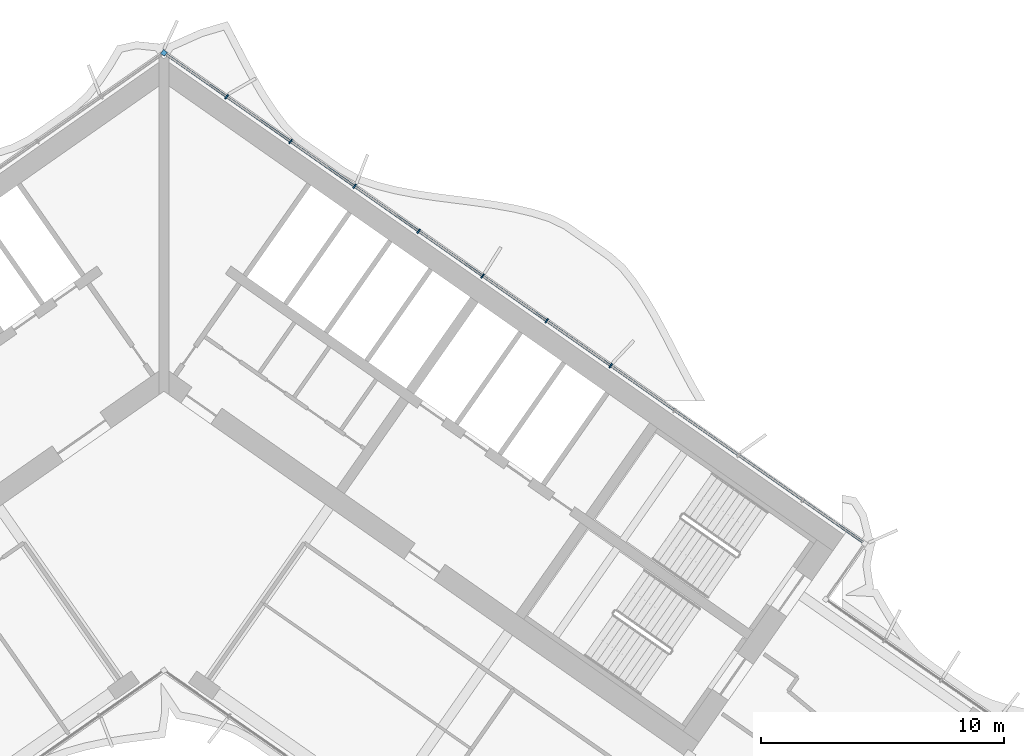
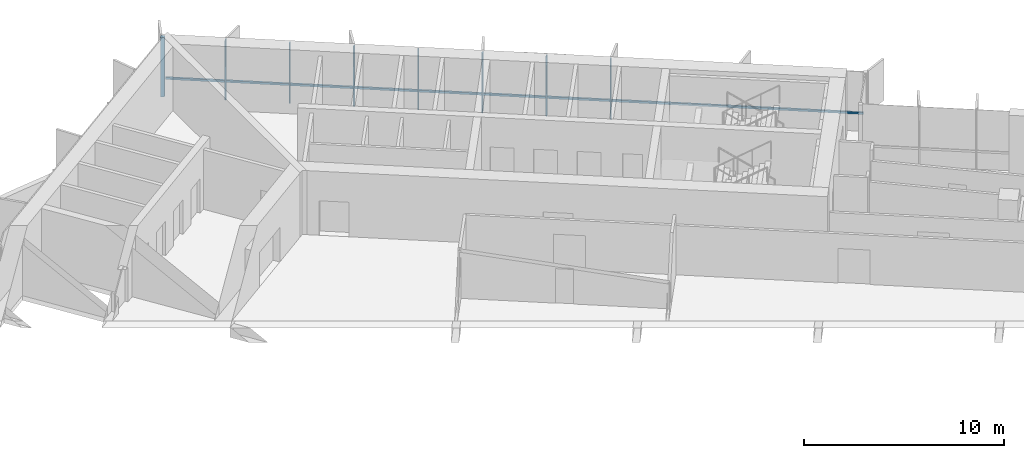
# One storey, part 8 of 21: 9 members, 1 element without a shape of its own.
"""IFC4 building model written with IfcOpenShell, lengths in metres."""

import ifcopenshell
import ifcopenshell.guid

model = None  # the IFC model being written
_history = None  # IfcOwnerHistory: only IFC2X3 demands one
_inside = {}  # id of a spatial element -> (the spatial element, [elements in it])
_under = {}  # id of a project, library or spatial element -> (it, [spatial elements below it])
_declared = {}  # id of a project -> (the project, [libraries it declares])
_typed = {}  # id of a type object -> (the type object, [elements of that type])
_made_of = {}  # id of a material, layer set ... -> (it, [elements and type objects made of it])


def new_model(schema):
    """Start an empty IFC model of exactly this schema.

    Asked for "IFC4X3", IfcOpenShell would pick the latest addendum, in which some entities
    have other attributes; the version numbers below select the first issue.
    IFC2X3 requires an IfcOwnerHistory on every rooted entity: one is made here for all.
    """
    global model, _history
    if schema == "IFC4X3":
        model = ifcopenshell.file(schema_version=(4, 3, 0, 0))
    else:
        model = ifcopenshell.file(schema=schema)
    _inside.clear()
    _under.clear()
    _declared.clear()
    _typed.clear()
    _made_of.clear()
    _history = None
    if model.schema == "IFC2X3":
        org = make("IfcOrganization", Name="unknown")
        user = make(
            "IfcPersonAndOrganization",
            ThePerson=make("IfcPerson", FamilyName="unknown"),
            TheOrganization=org,
        )
        app = make(
            "IfcApplication",
            ApplicationDeveloper=org,
            Version="unknown",
            ApplicationFullName="unknown",
            ApplicationIdentifier="unknown",
        )
        _history = make(
            "IfcOwnerHistory",
            OwningUser=user,
            OwningApplication=app,
            ChangeAction="ADDED",
            CreationDate=0,
        )
    return model


def make(cls, **values):
    """One entity of the class cls with the attributes given. An attribute that is None is left unset."""
    return model.create_entity(
        cls, **{name: value for name, value in values.items() if value is not None}
    )


def rooted(cls, **values):
    """An entity with a GlobalId (a new one), such as an element, a storey or a relation."""
    return make(cls, GlobalId=ifcopenshell.guid.new(), OwnerHistory=_history, **values)


def si_unit(unit_type, name, prefix=None):
    """IfcSIUnit, for example si_unit("LENGTHUNIT", "METRE", prefix="MILLI")."""
    return make("IfcSIUnit", UnitType=unit_type, Prefix=prefix, Name=name)


def assignment(units):
    """IfcUnitAssignment: the units of a project."""
    return None if units is None else make("IfcUnitAssignment", Units=units)


def point(xyz):
    """IfcCartesianPoint."""
    return None if xyz is None else make("IfcCartesianPoint", Coordinates=xyz)


def direction(xyz):
    """IfcDirection."""
    return None if xyz is None else make("IfcDirection", DirectionRatios=xyz)


def frame(location, z_axis=None, x_axis=None):
    """IfcAxis2Placement3D, a coordinate frame: its origin and axes. An axis left out is left unset."""
    return make(
        "IfcAxis2Placement3D",
        Location=point(location),
        Axis=direction(z_axis),
        RefDirection=direction(x_axis),
    )


def frame_2d(location, x_axis=None):
    """IfcAxis2Placement2D, a coordinate frame in the plane: its origin and x axis."""
    return make(
        "IfcAxis2Placement2D", Location=point(location), RefDirection=direction(x_axis)
    )


def origin():
    """The frame at (0, 0, 0) with its axes left unset."""
    return frame((0.0, 0.0, 0.0))


def origin_2d():
    """The frame at (0, 0) in the plane with its x axis left unset."""
    return frame_2d((0.0, 0.0))


def place(relative_to, where):
    """IfcLocalPlacement: puts the frame where relative to a parent placement (None: the world)."""
    return make(
        "IfcLocalPlacement", PlacementRelTo=relative_to, RelativePlacement=where
    )


def context(
    kind, dimensions, precision=None, world=None, true_north=None, identifier=None
):
    """IfcGeometricRepresentationContext, for example the 3D "Model" context."""
    return make(
        "IfcGeometricRepresentationContext",
        ContextIdentifier=identifier,
        ContextType=kind,
        CoordinateSpaceDimension=dimensions,
        Precision=precision,
        WorldCoordinateSystem=world,
        TrueNorth=true_north,
    )


def subcontext(parent, identifier, kind, view, scale=None):
    """IfcGeometricRepresentationSubContext, for example "Body" below "Model"."""
    return make(
        "IfcGeometricRepresentationSubContext",
        ContextIdentifier=identifier,
        ContextType=kind,
        ParentContext=parent,
        TargetScale=scale,
        TargetView=view,
    )


def project(units=None, contexts=None):
    """IfcProject with its units and contexts."""
    return rooted(
        "IfcProject",
        Name="project",
        RepresentationContexts=contexts,
        UnitsInContext=assignment(units),
    )


def spatial(cls, under=None, at=None, **own):
    """A site, building, storey or space (cls), placed at a placement, below another one or the project."""
    s = rooted(cls, ObjectPlacement=at, **own)
    if under is not None:
        _under.setdefault(under.id(), (under, []))[1].append(s)
    return s


def profile(cls, at=None, kind="AREA", **sizes):
    """A parametric profile (cls). Its sizes go by their IFC names, for example OverallWidth=200.0."""
    return make(cls, ProfileType=kind, Position=at, **sizes)


def rectangle(**sizes):
    """IfcRectangleProfileDef."""
    return profile("IfcRectangleProfileDef", **sizes)


def extrude(swept, where, along, depth):
    """IfcExtrudedAreaSolid: the profile swept, set in the frame where, extruded along a direction by depth."""
    return make(
        "IfcExtrudedAreaSolid",
        SweptArea=swept,
        Position=where,
        ExtrudedDirection=direction(along),
        Depth=depth,
    )


def shape(context_of_items, identifier, shape_type, items):
    """IfcShapeRepresentation: the items that make up one representation, for example the "Body"."""
    return make(
        "IfcShapeRepresentation",
        ContextOfItems=context_of_items,
        RepresentationIdentifier=identifier,
        RepresentationType=shape_type,
        Items=items,
    )


def material(Name=None, Category=None):
    """IfcMaterial."""
    return make("IfcMaterial", Name=Name, Category=Category)


def material_profile(
    of_material, cross_section, Name=None, Category=None, Priority=None
):
    """IfcMaterialProfile: a cross section and its material."""
    return make(
        "IfcMaterialProfile",
        Name=Name,
        Material=of_material,
        Profile=cross_section,
        Priority=Priority,
        Category=Category,
    )


def profile_set(profiles, Name=None, composite=None):
    """IfcMaterialProfileSet."""
    return make(
        "IfcMaterialProfileSet",
        Name=Name,
        MaterialProfiles=profiles,
        CompositeProfile=composite,
    )


def made_of(thing, what):
    """Note that an element or type object is made of a material, layer set ...; save() writes the relation."""
    if what is not None:
        _made_of.setdefault(what.id(), (what, []))[1].append(thing)
    return thing


def type_object(cls, material=None, **own):
    """A type object (cls), such as IfcWallType, which elements share."""
    return made_of(rooted(cls, **own), material)


def element(
    cls,
    number,
    at=None,
    inside=None,
    cuts=None,
    type_object=None,
    material=None,
    context=None,
    identifier="Body",
    shape_type=None,
    held_by="IfcProductDefinitionShape",
    body=None,
    shapes=None,
    **own,
):
    """One element of the class cls, such as IfcWall. Its Tag is "e" and its number.

    at: its placement. inside: the storey or other place that contains it. cuts: it is an
    opening in that element (IfcRelVoidsElement). A single representation is given by context,
    identifier, shape_type and body (its items); several are given by shapes. held_by: the class
    of the entity that holds the representations. save() writes the other relations.
    """
    e = rooted(cls, Tag="e%d" % number, ObjectPlacement=at, **own)
    if body is not None:
        shapes = [shape(context, identifier, shape_type, body)]
    if shapes is not None:
        e.Representation = make(held_by, Representations=shapes)
    if inside is not None:
        _inside.setdefault(inside.id(), (inside, []))[1].append(e)
    if cuts is not None:
        rooted(
            "IfcRelVoidsElement", RelatingBuildingElement=cuts, RelatedOpeningElement=e
        )
    if type_object is not None:
        _typed.setdefault(type_object.id(), (type_object, []))[1].append(e)
    return made_of(e, material)


def aggregate(whole, parts):
    """IfcRelAggregates: a whole, such as a stair, and the parts it consists of."""
    return rooted("IfcRelAggregates", RelatingObject=whole, RelatedObjects=parts)


def save(model, path):
    """Write the relations noted so far, then the file.

    IfcRelAggregates (storeys below a building ...), IfcRelContainedInSpatialStructure (elements
    in a storey), IfcRelDefinesByType, IfcRelAssociatesMaterial and IfcRelDeclares: one each for
    every whole, place, type object, material and project.
    """
    for whole, parts in _under.values():
        aggregate(whole, parts)
    for where, things in _inside.values():
        rooted(
            "IfcRelContainedInSpatialStructure",
            RelatedElements=things,
            RelatingStructure=where,
        )
    for kind, things in _typed.values():
        rooted("IfcRelDefinesByType", RelatedObjects=things, RelatingType=kind)
    for what, things in _made_of.values():
        rooted("IfcRelAssociatesMaterial", RelatedObjects=things, RelatingMaterial=what)
    for by, libraries in _declared.values():
        rooted("IfcRelDeclares", RelatingContext=by, RelatedDefinitions=libraries)
    model.write(path)


model = new_model("IFC4")

# Units and contexts
model_context = context("Model", 3, precision=1e-05, world=origin(), true_north=direction((0.0, 1.0)))
body_context = subcontext(model_context, "Body", "Model", "MODEL_VIEW")
ifc_project = project(units=[si_unit("LENGTHUNIT", "METRE"), si_unit("AREAUNIT", "SQUARE_METRE"), si_unit("VOLUMEUNIT", "CUBIC_METRE"), si_unit("PLANEANGLEUNIT", "RADIAN"), si_unit("MASSUNIT", "GRAM", prefix="KILO")], contexts=[model_context])

# Site, building, storey
site_placement = place(None, origin())
site = spatial("IfcSite", under=ifc_project, at=site_placement, CompositionType="ELEMENT")
building_placement = place(site_placement, origin())
building = spatial("IfcBuilding", under=site, at=building_placement, Name="Tel Ilan Convention Tower", CompositionType="ELEMENT")
storey_placement = place(building_placement, frame((0.0, 0.0, 155.39990234375)))
storey = spatial("IfcBuildingStorey", under=building, at=storey_placement, Name="L35", CompositionType="ELEMENT", Elevation=155.39990234375)

# Curtain wall, members
ifc_material_1 = material(Name="Aluminium, bronze anodised", Category="aluminium")
curtain_wall_type = type_object("IfcCurtainWallType", Name="CW2 STICK CURTAIN WALL, SPANDREL PANELS", PredefinedType="NOTDEFINED", material=ifc_material_1)
curtain_wall_placement = place(storey_placement, origin())
curtain_wall = element("IfcCurtainWall", 1, at=curtain_wall_placement, inside=storey, type_object=curtain_wall_type, Name="Curtain wall CW2-27.01", PredefinedType="NOTDEFINED")
ifc_material_2 = material(Name="Aluminium, bronze anodised", Category="aluminium")
ifc_material_profile_1 = material_profile(ifc_material_2, rectangle(XDim=0.199951171875, YDim=0.199951171875, at=origin_2d()), Name="CW CORNER MULLION 200x200")
ifc_profile_set_1 = profile_set([ifc_material_profile_1], Name="Aluminium, bronze anodised")
member_type_1 = type_object("IfcMemberType", Name="CW CORNER MULLION 200x200", PredefinedType="MULLION", material=ifc_profile_set_1)
member_1_placement = place(storey_placement, frame((0.0, 12.696044921875, 0.0), z_axis=(0.0, 0.0, 1.0), x_axis=(-0.819152044289, 0.573576436351, 0.0)))
member_1 = element("IfcMember", 2, at=member_1_placement, type_object=member_type_1, Name="Corner mullion", PredefinedType="MULLION", context=body_context, shape_type="SweptSolid", body=[
    extrude(rectangle(XDim=0.199951171875, YDim=0.199951171875, at=origin_2d()), origin(), (0.0, 0.0, 1.0), 3.6201171875),
])
ifc_material_3 = material(Name="Aluminium, bronze anodised", Category="aluminium")
ifc_material_profile_2 = material_profile(ifc_material_3, rectangle(XDim=0.06005859375, YDim=0.199951171875, at=origin_2d()), Name="CW MULLION 60x200")
ifc_profile_set_2 = profile_set([ifc_material_profile_2], Name="Aluminium, bronze anodised")
member_type_2 = type_object("IfcMemberType", Name="CW MULLION 60x200", PredefinedType="MULLION", material=ifc_profile_set_2)
member_2_placement = place(storey_placement, frame((18.37109375, -0.16748046875, 0.0), z_axis=(0.0, 0.0, 1.0), x_axis=(-0.819152044289, 0.573576436351, 0.0)))
member_2 = element("IfcMember", 3, at=member_2_placement, type_object=member_type_2, Name="Mullion", PredefinedType="MULLION", context=body_context, shape_type="SweptSolid", body=[
    extrude(rectangle(XDim=0.06005859375, YDim=0.199951171875, at=origin_2d()), origin(), (0.0, 0.0, 1.0), 3.6201171875),
])
member_3_placement = place(storey_placement, frame((15.73828125, 1.676025390625, 0.0), z_axis=(0.0, 0.0, 1.0), x_axis=(-0.819152044289, 0.573576436351, 0.0)))
member_3 = element("IfcMember", 4, at=member_3_placement, type_object=member_type_2, Name="Mullion", PredefinedType="MULLION", context=body_context, shape_type="SweptSolid", body=[
    extrude(rectangle(XDim=0.06005859375, YDim=0.199951171875, at=origin_2d()), origin(), (0.0, 0.0, 1.0), 3.6201171875),
])
member_4_placement = place(storey_placement, frame((13.105712890625, 3.519287109375, 0.0), z_axis=(0.0, 0.0, 1.0), x_axis=(-0.819152044289, 0.573576436351, 0.0)))
member_4 = element("IfcMember", 5, at=member_4_placement, type_object=member_type_2, Name="Mullion", PredefinedType="MULLION", context=body_context, shape_type="SweptSolid", body=[
    extrude(rectangle(XDim=0.06005859375, YDim=0.199951171875, at=origin_2d()), origin(), (0.0, 0.0, 1.0), 3.6201171875),
])
member_5_placement = place(storey_placement, frame((10.47314453125, 5.36279296875, 0.0), z_axis=(0.0, 0.0, 1.0), x_axis=(-0.819152044289, 0.573576436351, 0.0)))
member_5 = element("IfcMember", 6, at=member_5_placement, type_object=member_type_2, Name="Mullion", PredefinedType="MULLION", context=body_context, shape_type="SweptSolid", body=[
    extrude(rectangle(XDim=0.06005859375, YDim=0.199951171875, at=origin_2d()), origin(), (0.0, 0.0, 1.0), 3.6201171875),
])
member_6_placement = place(storey_placement, frame((7.840576171875, 7.2060546875, 0.0), z_axis=(0.0, 0.0, 1.0), x_axis=(-0.819152044289, 0.573576436351, 0.0)))
member_6 = element("IfcMember", 7, at=member_6_placement, type_object=member_type_2, Name="Mullion", PredefinedType="MULLION", context=body_context, shape_type="SweptSolid", body=[
    extrude(rectangle(XDim=0.06005859375, YDim=0.199951171875, at=origin_2d()), origin(), (0.0, 0.0, 1.0), 3.6201171875),
])
member_7_placement = place(storey_placement, frame((5.207763671875, 9.049560546875, 0.0), z_axis=(0.0, 0.0, 1.0), x_axis=(-0.819152044289, 0.573576436351, 0.0)))
member_7 = element("IfcMember", 8, at=member_7_placement, type_object=member_type_2, Name="Mullion", PredefinedType="MULLION", context=body_context, shape_type="SweptSolid", body=[
    extrude(rectangle(XDim=0.06005859375, YDim=0.199951171875, at=origin_2d()), origin(), (0.0, 0.0, 1.0), 3.6201171875),
])
member_8_placement = place(storey_placement, frame((2.5751953125, 10.892822265625, 0.0), z_axis=(0.0, 0.0, 1.0), x_axis=(-0.819152044289, 0.573576436351, 0.0)))
member_8 = element("IfcMember", 9, at=member_8_placement, type_object=member_type_2, Name="Mullion", PredefinedType="MULLION", context=body_context, shape_type="SweptSolid", body=[
    extrude(rectangle(XDim=0.06005859375, YDim=0.199951171875, at=origin_2d()), origin(), (0.0, 0.0, 1.0), 3.6201171875),
])
ifc_material_4 = material(Name="Aluminium, bronze anodised", Category="aluminium")
ifc_material_profile_3 = material_profile(ifc_material_4, rectangle(XDim=0.10009765625, YDim=0.1201171875, at=origin_2d()), Name="CW TRANSOM 100x120")
ifc_profile_set_3 = profile_set([ifc_material_profile_3], Name="Aluminium, bronze anodised")
member_type_3 = type_object("IfcMemberType", Name="CW TRANSOM 100x120", PredefinedType="USERDEFINED", material=ifc_profile_set_3)
member_9_placement = place(storey_placement, frame((28.737548828125, -7.42626953125, 1.10009765625), z_axis=(-0.819150201937, 0.573579067494, 0.0), x_axis=(-0.573579067494, -0.819150201937, 0.0)))
member_9 = element("IfcMember", 10, at=member_9_placement, type_object=member_type_3, Name="Transom", ObjectType="TRANSOM", PredefinedType="USERDEFINED", context=body_context, shape_type="SweptSolid", body=[
    extrude(rectangle(XDim=0.10009765625, YDim=0.1201171875, at=origin_2d()), origin(), (0.0, 0.0, 1.0), 34.9521484375),
])
aggregate(curtain_wall, [member_2, member_3, member_4, member_5, member_6, member_7, member_8, member_1, member_9])

save(model, "model.ifc")
